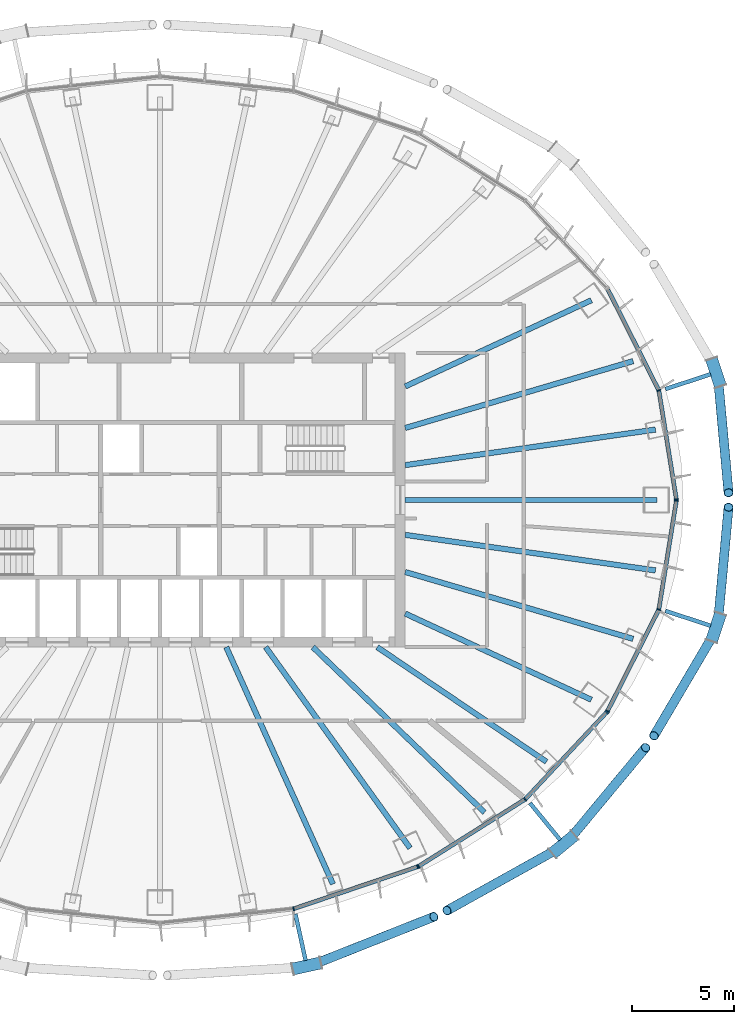
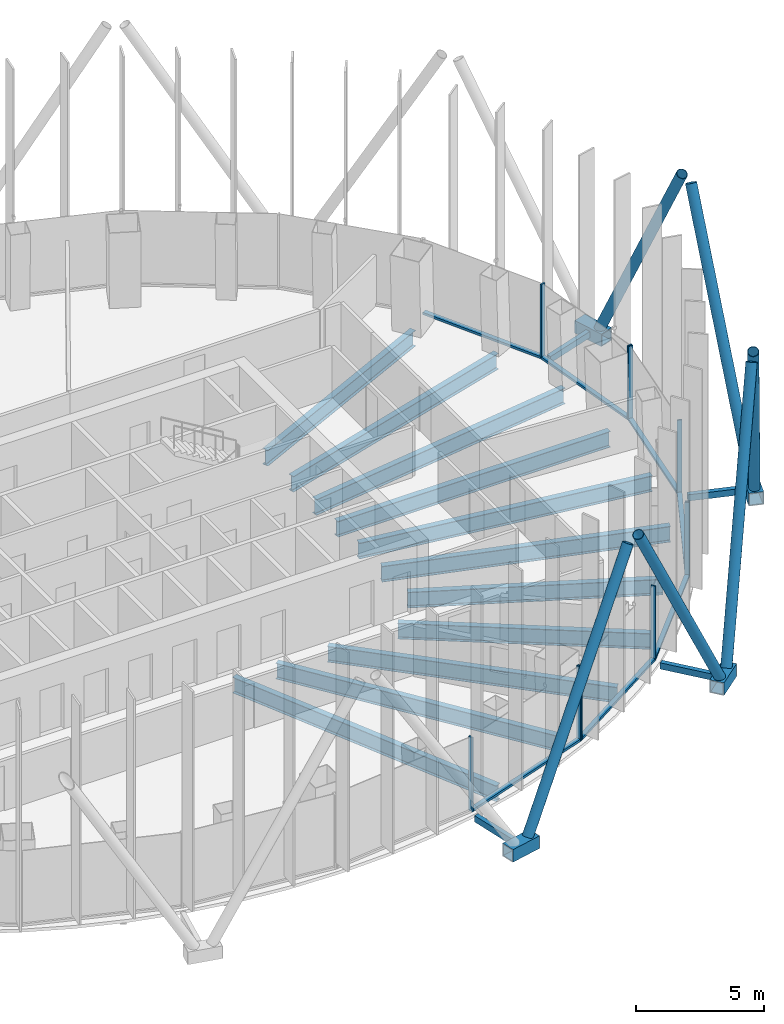
# One storey, part 4 of 19: 31 members, 11 beams, 4 elements without a shape of their own.
"""IFC4 building model written with IfcOpenShell, lengths in metres."""

from ifc_helpers import new_model, si_unit, direction, frame, origin, origin_2d, place, context, subcontext, project, spatial, rectangle, hollow_rectangle, hollow_circle, i_section, extrude, material, layer, layer_set, material_profile, profile_set, type_object, element, aggregate, save


model = new_model("IFC4")

# Units and contexts
model_context = context("Model", 3, precision=1e-05, world=origin(), true_north=direction((0.0, 1.0)))
body_context = subcontext(model_context, "Body", "Model", "MODEL_VIEW")
ifc_project = project(units=[si_unit("LENGTHUNIT", "METRE"), si_unit("AREAUNIT", "SQUARE_METRE"), si_unit("VOLUMEUNIT", "CUBIC_METRE"), si_unit("PLANEANGLEUNIT", "RADIAN"), si_unit("MASSUNIT", "GRAM", prefix="KILO")], contexts=[model_context])

# Site, building, storey
site_placement = place(None, origin())
site = spatial("IfcSite", under=ifc_project, at=site_placement, CompositionType="ELEMENT")
building_placement = place(site_placement, origin())
building = spatial("IfcBuilding", under=site, at=building_placement, Name="Siaravel Broadcast Tower", CompositionType="ELEMENT")
storey_placement = place(building_placement, frame((0.0, 0.0, 119.300048828125)))
storey = spatial("IfcBuildingStorey", under=building, at=storey_placement, Name="L28", CompositionType="ELEMENT", Elevation=119.300048828125)

# Beams
ifc_material_1 = material(Name="Steel S355", Category="steel")
ifc_material_profile_1 = material_profile(ifc_material_1, i_section(OverallWidth=0.26513671875, OverallDepth=0.75390625, WebThickness=0.0126953125, FlangeThickness=0.017578125, FilletRadius=0.0166015625, at=origin_2d()))
ifc_profile_set_1 = profile_set([ifc_material_profile_1], Name="Steel S355")
beam_type = type_object("IfcBeamType", Name="BM-UB 762x267x147", PredefinedType="BEAM", material=ifc_profile_set_1)
beam_1_placement = place(storey_placement, frame((24.313232421875, 0.0, -0.527099609375), z_axis=(-1.0, 0.0, 0.0), x_axis=(0.0, -1.0, 0.0)))
element("IfcBeam", 1, at=beam_1_placement, inside=storey, type_object=beam_type, Name="Radial beam RB01", PredefinedType="BEAM", context=body_context, shape_type="SweptSolid", body=[
    extrude(i_section(OverallWidth=0.26513671875, OverallDepth=0.75390625, WebThickness=0.0126953125, FlangeThickness=0.017578125, FilletRadius=0.0166015625, at=origin_2d()), origin(), (0.0, 0.0, 1.0), 12.313232421875),
])
beam_2_placement = place(storey_placement, frame((24.2451171875, 3.4462890625, -0.527099609375), z_axis=(-0.990049128, -0.140722152, 0.0), x_axis=(0.140722152, -0.990049128, 0.0)))
element("IfcBeam", 2, at=beam_2_placement, inside=storey, type_object=beam_type, Name="Radial beam RB02", PredefinedType="BEAM", context=body_context, shape_type="SweptSolid", body=[
    extrude(i_section(OverallWidth=0.26513671875, OverallDepth=0.75390625, WebThickness=0.0126953125, FlangeThickness=0.017578125, FilletRadius=0.0166015625, at=origin_2d()), origin(), (0.0, 0.0, 1.0), 12.3681640625),
])
beam_3_placement = place(storey_placement, frame((23.1494140625, 6.794677734375, -0.527099609375), z_axis=(-0.959523267, -0.281629366, 0.0), x_axis=(0.281629366, -0.959523267, 0.0)))
element("IfcBeam", 3, at=beam_3_placement, inside=storey, type_object=beam_type, Name="Radial beam RB03", PredefinedType="BEAM", context=body_context, shape_type="SweptSolid", body=[
    extrude(i_section(OverallWidth=0.26513671875, OverallDepth=0.75390625, WebThickness=0.0126953125, FlangeThickness=0.017578125, FilletRadius=0.0166015625, at=origin_2d()), origin(), (0.0, 0.0, 1.0), 11.61962890625),
])
beam_4_placement = place(storey_placement, frame((21.109375, 9.7744140625, -0.527099609375), z_axis=(-0.907439776, -0.420182167, 0.0), x_axis=(0.420182167, -0.907439776, 0.0)))
element("IfcBeam", 4, at=beam_4_placement, inside=storey, type_object=beam_type, Name="Radial beam RB04", PredefinedType="BEAM", context=body_context, shape_type="SweptSolid", body=[
    extrude(i_section(OverallWidth=0.26513671875, OverallDepth=0.75390625, WebThickness=0.0126953125, FlangeThickness=0.017578125, FilletRadius=0.0166015625, at=origin_2d()), origin(), (0.0, 0.0, 1.0), 10.03857421875),
])
beam_5_placement = place(storey_placement, frame((8.46337890625, -18.794189453125, -0.527099609375), z_axis=(-0.410612147, 0.911810103, 0.0), x_axis=(-0.911810103, -0.410612147, 0.0)))
element("IfcBeam", 5, at=beam_5_placement, inside=storey, type_object=beam_type, Name="Radial beam RB30", PredefinedType="BEAM", context=body_context, shape_type="SweptSolid", body=[
    extrude(i_section(OverallWidth=0.26513671875, OverallDepth=0.75390625, WebThickness=0.0126953125, FlangeThickness=0.017578125, FilletRadius=0.0166015625, at=origin_2d()), origin(), (0.0, 0.0, 1.0), 12.715576171875),
])
beam_6_placement = place(storey_placement, frame((12.236328125, -17.032958984375, -0.527099609375), z_axis=(-0.583444902, 0.812152723, 0.0), x_axis=(-0.812152723, -0.583444902, 0.0)))
element("IfcBeam", 6, at=beam_6_placement, inside=storey, type_object=beam_type, Name="Radial beam RB31", PredefinedType="BEAM", context=body_context, shape_type="SweptSolid", body=[
    extrude(i_section(OverallWidth=0.26513671875, OverallDepth=0.75390625, WebThickness=0.0126953125, FlangeThickness=0.017578125, FilletRadius=0.0166015625, at=origin_2d()), origin(), (0.0, 0.0, 1.0), 12.107421875),
])
beam_7_placement = place(storey_placement, frame((15.882080078125, -15.286865234375, -0.527099609375), z_axis=(-0.720471293, 0.693484762, 0.0), x_axis=(-0.693484762, -0.720471293, 0.0)))
element("IfcBeam", 7, at=beam_7_placement, inside=storey, type_object=beam_type, Name="Radial beam RB32", PredefinedType="BEAM", context=body_context, shape_type="SweptSolid", body=[
    extrude(i_section(OverallWidth=0.26513671875, OverallDepth=0.75390625, WebThickness=0.0126953125, FlangeThickness=0.017578125, FilletRadius=0.0166015625, at=origin_2d()), origin(), (0.0, 0.0, 1.0), 11.661376953125),
])
beam_8_placement = place(storey_placement, frame((18.90869140625, -12.80810546875, -0.527099609375), z_axis=(-0.827929661, 0.56083195, 0.0), x_axis=(-0.56083195, -0.827929661, 0.0)))
element("IfcBeam", 8, at=beam_8_placement, inside=storey, type_object=beam_type, Name="Radial beam RB33", PredefinedType="BEAM", context=body_context, shape_type="SweptSolid", body=[
    extrude(i_section(OverallWidth=0.26513671875, OverallDepth=0.75390625, WebThickness=0.0126953125, FlangeThickness=0.017578125, FilletRadius=0.0166015625, at=origin_2d()), origin(), (0.0, 0.0, 1.0), 9.999755859375),
])
beam_9_placement = place(storey_placement, frame((21.109375, -9.7744140625, -0.527099609375), z_axis=(-0.907439776, 0.420182167, 0.0), x_axis=(-0.420182167, -0.907439776, 0.0)))
element("IfcBeam", 9, at=beam_9_placement, inside=storey, type_object=beam_type, Name="Radial beam RB34", PredefinedType="BEAM", context=body_context, shape_type="SweptSolid", body=[
    extrude(i_section(OverallWidth=0.26513671875, OverallDepth=0.75390625, WebThickness=0.0126953125, FlangeThickness=0.017578125, FilletRadius=0.0166015625, at=origin_2d()), origin(), (0.0, 0.0, 1.0), 10.03857421875),
])
beam_10_placement = place(storey_placement, frame((23.1494140625, -6.794677734375, -0.527099609375), z_axis=(-0.959523267, 0.281629366, 0.0), x_axis=(-0.281629366, -0.959523267, 0.0)))
element("IfcBeam", 10, at=beam_10_placement, inside=storey, type_object=beam_type, Name="Radial beam RB35", PredefinedType="BEAM", context=body_context, shape_type="SweptSolid", body=[
    extrude(i_section(OverallWidth=0.26513671875, OverallDepth=0.75390625, WebThickness=0.0126953125, FlangeThickness=0.017578125, FilletRadius=0.0166015625, at=origin_2d()), origin(), (0.0, 0.0, 1.0), 11.61962890625),
])
beam_11_placement = place(storey_placement, frame((24.2451171875, -3.4462890625, -0.527099609375), z_axis=(-0.990049128, 0.140722152, 0.0), x_axis=(-0.140722152, -0.990049128, 0.0)))
element("IfcBeam", 11, at=beam_11_placement, inside=storey, type_object=beam_type, Name="Radial beam RB36", PredefinedType="BEAM", context=body_context, shape_type="SweptSolid", body=[
    extrude(i_section(OverallWidth=0.26513671875, OverallDepth=0.75390625, WebThickness=0.0126953125, FlangeThickness=0.017578125, FilletRadius=0.0166015625, at=origin_2d()), origin(), (0.0, 0.0, 1.0), 12.3681640625),
])

# Curtain wall, members
ifc_material_2 = material(Name="Aluminium 6063-T6", Category="aluminium")
ifc_layer = layer(ifc_material_2, 0.199951171875)
ifc_layer_set = layer_set([ifc_layer], Name="Aluminium 6063-T6")
curtain_wall_type = type_object("IfcCurtainWallType", Name="Unitised curtain wall, zone 2", PredefinedType="NOTDEFINED", material=ifc_layer_set)
curtain_wall_1_placement = place(storey_placement, origin())
curtain_wall_1 = element("IfcCurtainWall", 12, at=curtain_wall_1_placement, inside=storey, type_object=curtain_wall_type, Name="L28 Unitised curtain wall, zone 2 01", PredefinedType="NOTDEFINED")
ifc_material_profile_2 = material_profile(ifc_material_2, rectangle(XDim=0.199951171875, YDim=0.06494140625, at=origin_2d()))
ifc_profile_set_2 = profile_set([ifc_material_profile_2], Name="Aluminium 6063-T6")
member_type_1 = type_object("IfcMemberType", Name="CW-Z2 mullion", PredefinedType="MULLION", material=ifc_profile_set_2)
member_1_placement = place(storey_placement, frame((25.265869140625, 0.031982421875, 0.0), z_axis=(0.0, 0.0, 1.0), x_axis=(-0.987329163, -0.158685611, 0.0)))
member_1 = element("IfcMember", 13, at=member_1_placement, type_object=member_type_1, Name="CW-Z2 mullion 1", PredefinedType="MULLION", context=body_context, shape_type="SweptSolid", body=[
    extrude(rectangle(XDim=0.199951171875, YDim=0.06494140625, at=origin_2d()), origin(), (0.0, 0.0, 1.0), 3.550048828125),
])
member_2_placement = place(storey_placement, frame((24.4091796875, 5.362548828125, 0.0), z_axis=(0.0, 0.0, 1.0), x_axis=(-0.951177162, -0.308645439, 0.0)))
member_2 = element("IfcMember", 14, at=member_2_placement, type_object=member_type_1, Name="CW-Z2 mullion 2", PredefinedType="MULLION", context=body_context, shape_type="SweptSolid", body=[
    extrude(rectangle(XDim=0.199951171875, YDim=0.06494140625, at=origin_2d()), origin(), (0.0, 0.0, 1.0), 3.550048828125),
])

curtain_wall_2_placement = place(storey_placement, origin())
curtain_wall_2 = element("IfcCurtainWall", 15, at=curtain_wall_2_placement, inside=storey, type_object=curtain_wall_type, Name="L28 Unitised curtain wall, zone 2 10", PredefinedType="NOTDEFINED")
member_3_placement = place(storey_placement, frame((6.538330078125, -20.00390625, 0.0), z_axis=(0.0, 0.0, 1.0), x_axis=(-0.215558052, 0.976491027, 0.0)))
member_3 = element("IfcMember", 16, at=member_3_placement, type_object=member_type_1, Name="CW-Z2 mullion 2", PredefinedType="MULLION", context=body_context, shape_type="SweptSolid", body=[
    extrude(rectangle(XDim=0.199951171875, YDim=0.06494140625, at=origin_2d()), origin(), (0.0, 0.0, 1.0), 3.550048828125),
])
member_4_placement = place(storey_placement, frame((12.60107421875, -17.94677734375, 0.0), z_axis=(0.0, 0.0, 1.0), x_axis=(-0.321300596, 0.946977258, 0.0)))
member_4 = element("IfcMember", 17, at=member_4_placement, type_object=member_type_1, Name="CW-Z2 mullion 3", PredefinedType="MULLION", context=body_context, shape_type="SweptSolid", body=[
    extrude(rectangle(XDim=0.199951171875, YDim=0.06494140625, at=origin_2d()), origin(), (0.0, 0.0, 1.0), 3.550048828125),
])

curtain_wall_3_placement = place(storey_placement, origin())
curtain_wall_3 = element("IfcCurtainWall", 18, at=curtain_wall_3_placement, inside=storey, type_object=curtain_wall_type, Name="L28 Unitised curtain wall, zone 2 11", PredefinedType="NOTDEFINED")
member_5_placement = place(storey_placement, frame((12.659423828125, -17.9189453125, 0.0), z_axis=(0.0, 0.0, 1.0), x_axis=(-0.532149141, 0.846650632, 0.0)))
member_5 = element("IfcMember", 19, at=member_5_placement, type_object=member_type_1, Name="CW-Z2 mullion 1", PredefinedType="MULLION", context=body_context, shape_type="SweptSolid", body=[
    extrude(rectangle(XDim=0.199951171875, YDim=0.06494140625, at=origin_2d()), origin(), (0.0, 0.0, 1.0), 3.550048828125),
])
member_6_placement = place(storey_placement, frame((17.86572265625, -14.646728515625, 0.0), z_axis=(0.0, 0.0, 1.0), x_axis=(-0.636218518, 0.771508909, 0.0)))
member_6 = element("IfcMember", 20, at=member_6_placement, type_object=member_type_1, Name="CW-Z2 mullion 2", PredefinedType="MULLION", context=body_context, shape_type="SweptSolid", body=[
    extrude(rectangle(XDim=0.199951171875, YDim=0.06494140625, at=origin_2d()), origin(), (0.0, 0.0, 1.0), 3.550048828125),
])
member_7_placement = place(storey_placement, frame((21.86083984375, -10.382080078125, 0.0), z_axis=(0.0, 0.0, 1.0), x_axis=(-0.729805105, 0.683655256, 0.0)))
member_7 = element("IfcMember", 21, at=member_7_placement, type_object=member_type_1, Name="CW-Z2 mullion 3", PredefinedType="MULLION", context=body_context, shape_type="SweptSolid", body=[
    extrude(rectangle(XDim=0.199951171875, YDim=0.06494140625, at=origin_2d()), origin(), (0.0, 0.0, 1.0), 3.550048828125),
])

curtain_wall_4_placement = place(storey_placement, origin())
curtain_wall_4 = element("IfcCurtainWall", 22, at=curtain_wall_4_placement, inside=storey, type_object=curtain_wall_type, Name="L28 Unitised curtain wall, zone 2 12", PredefinedType="NOTDEFINED")
member_8_placement = place(storey_placement, frame((21.897705078125, -10.329345703125, 0.0), z_axis=(0.0, 0.0, 1.0), x_axis=(-0.892391979, 0.451261073, 0.0)))
member_8 = element("IfcMember", 23, at=member_8_placement, type_object=member_type_1, Name="CW-Z2 mullion 1", PredefinedType="MULLION", context=body_context, shape_type="SweptSolid", body=[
    extrude(rectangle(XDim=0.199951171875, YDim=0.06494140625, at=origin_2d()), origin(), (0.0, 0.0, 1.0), 3.550048828125),
])
member_9_placement = place(storey_placement, frame((24.4091796875, -5.362548828125, 0.0), z_axis=(0.0, 0.0, 1.0), x_axis=(-0.951177162, 0.308645439, 0.0)))
member_9 = element("IfcMember", 24, at=member_9_placement, type_object=member_type_1, Name="CW-Z2 mullion 2", PredefinedType="MULLION", context=body_context, shape_type="SweptSolid", body=[
    extrude(rectangle(XDim=0.199951171875, YDim=0.06494140625, at=origin_2d()), origin(), (0.0, 0.0, 1.0), 3.550048828125),
])
member_10_placement = place(storey_placement, frame((25.265869140625, -0.031982421875, 0.0), z_axis=(0.0, 0.0, 1.0), x_axis=(-0.987329163, 0.158685611, 0.0)))
member_10 = element("IfcMember", 25, at=member_10_placement, type_object=member_type_1, Name="CW-Z2 mullion 3", PredefinedType="MULLION", context=body_context, shape_type="SweptSolid", body=[
    extrude(rectangle(XDim=0.199951171875, YDim=0.06494140625, at=origin_2d()), origin(), (0.0, 0.0, 1.0), 3.550048828125),
])

# Member
ifc_material_profile_3 = material_profile(ifc_material_2, rectangle(XDim=0.199951171875, YDim=0.110107421875, at=origin_2d()))
ifc_profile_set_3 = profile_set([ifc_material_profile_3], Name="Aluminium 6063-T6")
member_type_2 = type_object("IfcMemberType", Name="CW-Z2 transom", PredefinedType="USERDEFINED", material=ifc_profile_set_3)
member_11_placement = place(storey_placement, frame((25.2607421875, 0.064208984375, 0.054931640625), z_axis=(-0.158695625, 0.987327554, 0.0), x_axis=(-0.987327554, -0.158695625, 0.0)))
member_11 = element("IfcMember", 26, at=member_11_placement, type_object=member_type_2, Name="CW-Z2 transom 1", ObjectType="TRANSOM", PredefinedType="USERDEFINED", context=body_context, shape_type="SweptSolid", body=[
    extrude(rectangle(XDim=0.199951171875, YDim=0.110107421875, at=origin_2d()), origin(), (0.0, 0.0, 1.0), 5.333740234375),
])

member_12_placement = place(storey_placement, frame((24.39453125, 5.3916015625, 0.054931640625), z_axis=(-0.451256879, 0.8923941, 0.0), x_axis=(-0.8923941, -0.451256879, 0.0)))
member_12 = element("IfcMember", 27, at=member_12_placement, type_object=member_type_2, Name="CW-Z2 transom 2", ObjectType="TRANSOM", PredefinedType="USERDEFINED", context=body_context, shape_type="SweptSolid", body=[
    extrude(rectangle(XDim=0.199951171875, YDim=0.110107421875, at=origin_2d()), origin(), (0.0, 0.0, 1.0), 5.50048828125),
])

aggregate(curtain_wall_1, [member_1, member_2, member_11, member_12])

member_13_placement = place(storey_placement, frame((6.569091796875, -19.993408203125, 0.054931640625), z_axis=(0.946978491, 0.321296962, 0.0), x_axis=(-0.321296962, 0.946978491, 0.0)))
member_13 = element("IfcMember", 28, at=member_13_placement, type_object=member_type_2, Name="CW-Z2 transom 2", ObjectType="TRANSOM", PredefinedType="USERDEFINED", context=body_context, shape_type="SweptSolid", body=[
    extrude(rectangle(XDim=0.199951171875, YDim=0.110107421875, at=origin_2d()), origin(), (0.0, 0.0, 1.0), 6.337158203125),
])

aggregate(curtain_wall_2, [member_3, member_4, member_13])

member_14_placement = place(storey_placement, frame((12.68701171875, -17.901611328125, 0.054931640625), z_axis=(0.846658761, 0.532136207, 0.0), x_axis=(-0.532136207, 0.846658761, 0.0)))
member_14 = element("IfcMember", 29, at=member_14_placement, type_object=member_type_2, Name="CW-Z2 transom 1", ObjectType="TRANSOM", PredefinedType="USERDEFINED", context=body_context, shape_type="SweptSolid", body=[
    extrude(rectangle(XDim=0.199951171875, YDim=0.110107421875, at=origin_2d()), origin(), (0.0, 0.0, 1.0), 6.083984375),
])

member_15_placement = place(storey_placement, frame((17.887939453125, -14.623046875, 0.054931640625), z_axis=(0.683640317, 0.729819099, 0.0), x_axis=(-0.729819099, 0.683640317, 0.0)))
member_15 = element("IfcMember", 30, at=member_15_placement, type_object=member_type_2, Name="CW-Z2 transom 2", ObjectType="TRANSOM", PredefinedType="USERDEFINED", context=body_context, shape_type="SweptSolid", body=[
    extrude(rectangle(XDim=0.199951171875, YDim=0.110107421875, at=origin_2d()), origin(), (0.0, 0.0, 1.0), 5.778564453125),
])

aggregate(curtain_wall_3, [member_5, member_6, member_7, member_14, member_15])

member_16_placement = place(storey_placement, frame((21.912353515625, -10.30029296875, 0.054931640625), z_axis=(0.451256879, 0.8923941, 0.0), x_axis=(-0.8923941, 0.451256879, 0.0)))
member_16 = element("IfcMember", 31, at=member_16_placement, type_object=member_type_2, Name="CW-Z2 transom 1", ObjectType="TRANSOM", PredefinedType="USERDEFINED", context=body_context, shape_type="SweptSolid", body=[
    extrude(rectangle(XDim=0.199951171875, YDim=0.110107421875, at=origin_2d()), origin(), (0.0, 0.0, 1.0), 5.50048828125),
])

member_17_placement = place(storey_placement, frame((24.414306640625, -5.330322265625, 0.054931640625), z_axis=(0.158695625, 0.987327554, 0.0), x_axis=(-0.987327554, 0.158695625, 0.0)))
member_17 = element("IfcMember", 32, at=member_17_placement, type_object=member_type_2, Name="CW-Z2 transom 2", ObjectType="TRANSOM", PredefinedType="USERDEFINED", context=body_context, shape_type="SweptSolid", body=[
    extrude(rectangle(XDim=0.199951171875, YDim=0.110107421875, at=origin_2d()), origin(), (0.0, 0.0, 1.0), 5.333740234375),
])

aggregate(curtain_wall_4, [member_8, member_9, member_10, member_16, member_17])

# Members
ifc_material_3 = material(Name="Steel S460", Category="steel")
ifc_material_profile_4 = material_profile(ifc_material_3, hollow_circle(Radius=0.228515625, WallThickness=0.02001953125, at=origin_2d()))
ifc_profile_set_4 = profile_set([ifc_material_profile_4], Name="Steel S460")
member_type_3 = type_object("IfcMemberType", Name="Diagrid diagonal CHS 457x20", PredefinedType="BRACE", material=ifc_profile_set_4)
member_18_placement = place(storey_placement, frame((27.313232421875, 5.90283203125, 0.070068359375), z_axis=(0.042526891, -0.464912971, 0.884334435), x_axis=(0.995842436, 0.091092496, 0.0)))
element("IfcMember", 33, at=member_18_placement, inside=storey, type_object=member_type_3, Name="Diagrid diagonal R12 station 03C", PredefinedType="BRACE", context=body_context, shape_type="SweptSolid", body=[
    extrude(hollow_circle(Radius=0.228515625, WallThickness=0.02001953125, at=origin_2d()), origin(), (0.0, 0.0, 1.0), 11.94091796875),
])
member_19_placement = place(storey_placement, frame((7.527587890625, -22.72314453125, 0.070068359375), z_axis=(0.477496257, 0.189415577, 0.857973813), x_axis=(-0.368732724, 0.929535464, 0.0)))
element("IfcMember", 34, at=member_19_placement, inside=storey, type_object=member_type_3, Name="Diagrid diagonal R12 station 57A", PredefinedType="BRACE", context=body_context, shape_type="SweptSolid", body=[
    extrude(hollow_circle(Radius=0.228515625, WallThickness=0.02001953125, at=origin_2d()), origin(), (0.0, 0.0, 1.0), 12.307861328125),
])
member_20_placement = place(storey_placement, frame((19.4814453125, -17.064453125, 0.070068359375), z_axis=(-0.443890215, -0.246908829, 0.861392772), x_axis=(0.486098934, -0.873903786, 0.0)))
element("IfcMember", 35, at=member_20_placement, inside=storey, type_object=member_type_3, Name="Diagrid diagonal R12 station 63C", PredefinedType="BRACE", context=body_context, shape_type="SweptSolid", body=[
    extrude(hollow_circle(Radius=0.228515625, WallThickness=0.02001953125, at=origin_2d()), origin(), (0.0, 0.0, 1.0), 12.259033203125),
])
member_21_placement = place(storey_placement, frame((20.02490234375, -16.619384765625, 0.070068359375), z_axis=(0.309745387, 0.373093666, 0.874562126), x_axis=(-0.769402538, 0.638764225, 0.0)))
element("IfcMember", 36, at=member_21_placement, inside=storey, type_object=member_type_3, Name="Diagrid diagonal R12 station 63A", PredefinedType="BRACE", context=body_context, shape_type="SweptSolid", body=[
    extrude(hollow_circle(Radius=0.228515625, WallThickness=0.02001953125, at=origin_2d()), origin(), (0.0, 0.0, 1.0), 12.074462890625),
])
member_22_placement = place(storey_placement, frame((27.0947265625, -6.570556640625, 0.070068359375), z_axis=(-0.243110195, -0.413049923, 0.877660067), x_axis=(0.861806851, -0.507236583, 0.0)))
element("IfcMember", 37, at=member_22_placement, inside=storey, type_object=member_type_3, Name="Diagrid diagonal R12 station 69C", PredefinedType="BRACE", context=body_context, shape_type="SweptSolid", body=[
    extrude(hollow_circle(Radius=0.228515625, WallThickness=0.02001953125, at=origin_2d()), origin(), (0.0, 0.0, 1.0), 12.03173828125),
])
member_23_placement = place(storey_placement, frame((27.313232421875, -5.90283203125, 0.070068359375), z_axis=(0.042526891, 0.464912971, 0.884334435), x_axis=(-0.995842436, 0.091092496, 0.0)))
element("IfcMember", 38, at=member_23_placement, inside=storey, type_object=member_type_3, Name="Diagrid diagonal R12 station 69A", PredefinedType="BRACE", context=body_context, shape_type="SweptSolid", body=[
    extrude(hollow_circle(Radius=0.228515625, WallThickness=0.02001953125, at=origin_2d()), origin(), (0.0, 0.0, 1.0), 11.94091796875),
])
ifc_material_profile_5 = material_profile(ifc_material_3, hollow_rectangle(XDim=0.60009765625, YDim=0.60009765625, WallThickness=0.0400390625, at=origin_2d()))
ifc_profile_set_5 = profile_set([ifc_material_profile_5], Name="Steel S460")
member_type_4 = type_object("IfcMemberType", Name="Diagrid node BOX 600x600x40", PredefinedType="USERDEFINED", material=ifc_profile_set_5)
for number, where, z_axis, x_axis, name in (
    (39, (27.421630859375, 5.571533203125, -0.199951171875), (-0.310990364, 0.950413065, 0.0), (-0.950413065, -0.310990364, 0.0), "Diagrid node R12 station 03"),
    (40, (6.5009765625, -22.948486328125, -0.199951171875), (0.976754142, 0.21436265, 0.0), (-0.21436265, 0.976754142, 0.0), "Diagrid node R12 station 57"),
    (41, (19.2119140625, -17.285400390625, -0.199951171875), (0.773584133, 0.633693609, 0.0), (-0.633693609, 0.773584133, 0.0), "Diagrid node R12 station 63"),
    (42, (26.986328125, -6.90185546875, -0.199951171875), (0.310990364, 0.950413065, 0.0), (-0.950413065, 0.310990364, 0.0), "Diagrid node R12 station 69"),
):
    element("IfcMember", number, at=place(storey_placement, frame(where, z_axis=z_axis, x_axis=x_axis)), inside=storey, type_object=member_type_4, Name=name, ObjectType="DIAGRID NODE", PredefinedType="USERDEFINED", context=body_context, shape_type="SweptSolid", body=[
        extrude(hollow_rectangle(XDim=0.60009765625, YDim=0.60009765625, WallThickness=0.0400390625, at=origin_2d()), origin(), (0.0, 0.0, 1.0), 1.399658203125),
    ])
ifc_material_profile_6 = material_profile(ifc_material_3, hollow_rectangle(XDim=0.199951171875, YDim=0.300048828125, WallThickness=0.012451171875, at=origin_2d()))
ifc_profile_set_6 = profile_set([ifc_material_profile_6], Name="Steel S460")
member_type_5 = type_object("IfcMemberType", Name="Diagrid node arm RHS 300x200x12.5", PredefinedType="STRUT", material=ifc_profile_set_6)
member_24_placement = place(storey_placement, frame((24.73291015625, 5.428466796875, -0.199951171875), z_axis=(0.950449489, 0.310879025, 0.0), x_axis=(-0.310879025, 0.950449489, 0.0)))
element("IfcMember", 43, at=member_24_placement, inside=storey, type_object=member_type_5, Name="Node arm R12 station 03", PredefinedType="STRUT", context=body_context, shape_type="SweptSolid", body=[
    extrude(hollow_rectangle(XDim=0.199951171875, YDim=0.300048828125, WallThickness=0.012451171875, at=origin_2d()), origin(), (0.0, 0.0, 1.0), 2.330078125),
])
member_25_placement = place(storey_placement, frame((6.627197265625, -20.2587890625, -0.199951171875), z_axis=(0.2143561, -0.97675558, 0.0), x_axis=(0.97675558, 0.2143561, 0.0)))
element("IfcMember", 44, at=member_25_placement, inside=storey, type_object=member_type_5, Name="Node arm R12 station 57", PredefinedType="STRUT", context=body_context, shape_type="SweptSolid", body=[
    extrude(hollow_rectangle(XDim=0.199951171875, YDim=0.300048828125, WallThickness=0.012451171875, at=origin_2d()), origin(), (0.0, 0.0, 1.0), 2.330322265625),
])
member_26_placement = place(storey_placement, frame((18.105712890625, -14.83056640625, -0.199951171875), z_axis=(0.633637135, -0.77363039, 0.0), x_axis=(0.77363039, 0.633637135, 0.0)))
element("IfcMember", 45, at=member_26_placement, inside=storey, type_object=member_type_5, Name="Node arm R12 station 63", PredefinedType="STRUT", context=body_context, shape_type="SweptSolid", body=[
    extrude(hollow_rectangle(XDim=0.199951171875, YDim=0.300048828125, WallThickness=0.012451171875, at=origin_2d()), origin(), (0.0, 0.0, 1.0), 2.329833984375),
])
member_27_placement = place(storey_placement, frame((24.73291015625, -5.428466796875, -0.199951171875), z_axis=(0.950449489, -0.310879025, 0.0), x_axis=(0.310879025, 0.950449489, 0.0)))
element("IfcMember", 46, at=member_27_placement, inside=storey, type_object=member_type_5, Name="Node arm R12 station 69", PredefinedType="STRUT", context=body_context, shape_type="SweptSolid", body=[
    extrude(hollow_rectangle(XDim=0.199951171875, YDim=0.300048828125, WallThickness=0.012451171875, at=origin_2d()), origin(), (0.0, 0.0, 1.0), 2.330078125),
])

save(model, "model.ifc")
